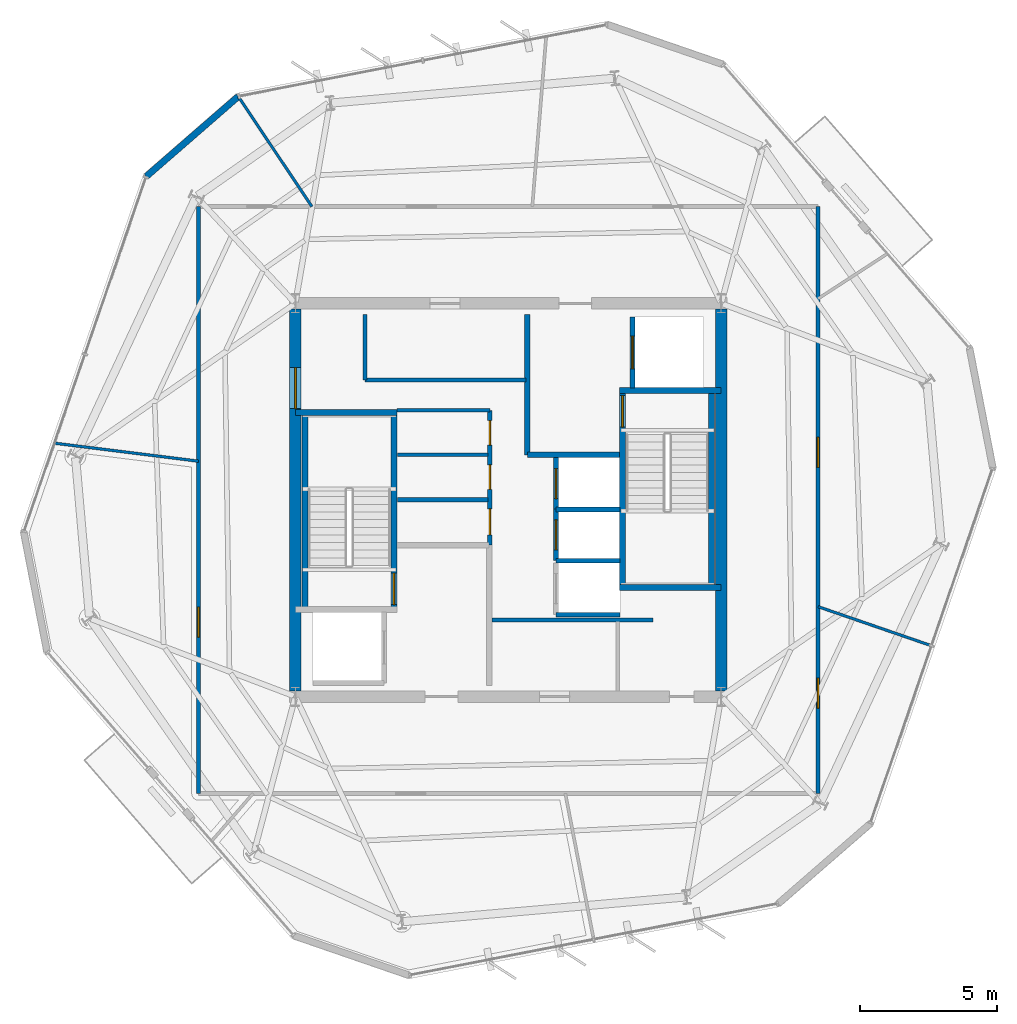
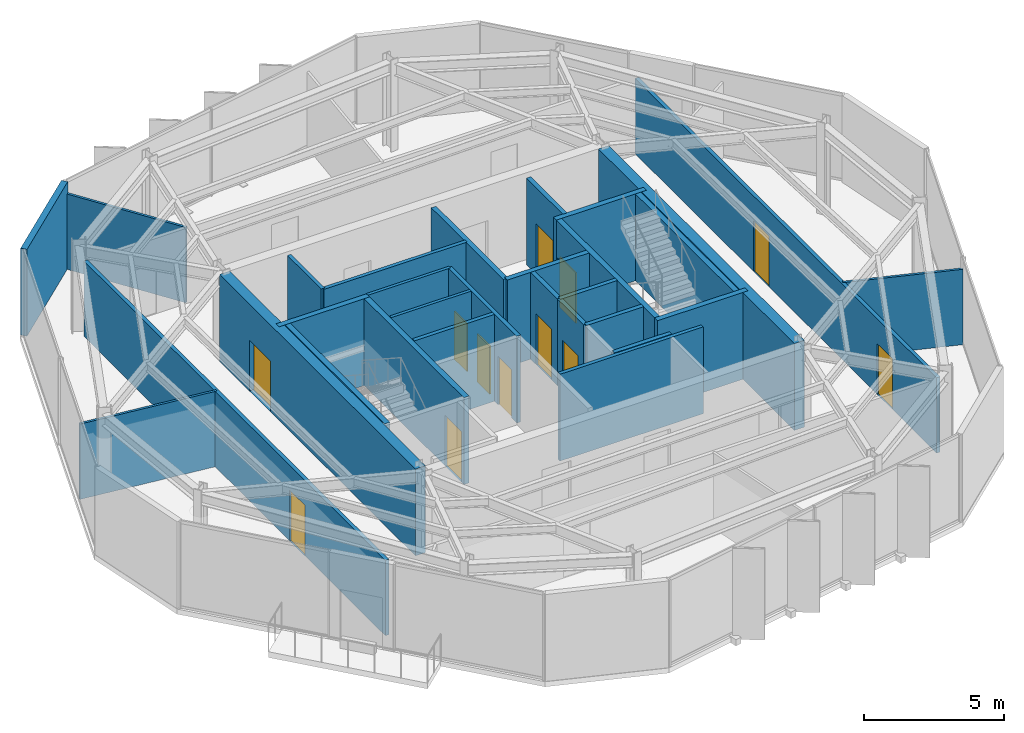
# One storey, part 7 of 10: 30 walls, 12 doors, 12 openings.
"""IFC4 building model written with IfcOpenShell, lengths in metres."""

from ifc_helpers import new_model, si_unit, direction, frame, frame_2d, origin, place, context, subcontext, project, spatial, rectangle, extrude, material, layer, layer_set, type_object, element, fill, save


model = new_model("IFC4")

# Units and contexts
model_context = context("Model", 3, precision=1e-05, world=origin(), true_north=direction((0.0, 1.0)))
body_context = subcontext(model_context, "Body", "Model", "MODEL_VIEW")
ifc_project = project(units=[si_unit("LENGTHUNIT", "METRE"), si_unit("AREAUNIT", "SQUARE_METRE"), si_unit("VOLUMEUNIT", "CUBIC_METRE"), si_unit("PLANEANGLEUNIT", "RADIAN"), si_unit("MASSUNIT", "GRAM", prefix="KILO")], contexts=[model_context])

# Site, building, storey
site_placement = place(None, origin())
site = spatial("IfcSite", under=ifc_project, at=site_placement, CompositionType="ELEMENT")
building_placement = place(site_placement, origin())
building = spatial("IfcBuilding", under=site, at=building_placement, Name="Kranzbogen Civic Tower", CompositionType="ELEMENT")
storey_placement = place(building_placement, frame((0.0, 0.0, 310.199951171875)))
storey = spatial("IfcBuildingStorey", under=building, at=storey_placement, Name="L75", CompositionType="ELEMENT", Elevation=310.199951171875)

# Walls
ifc_material_1 = material(Name="Double-Stud Acoustic Gypsum Partition")
ifc_layer_1 = layer(ifc_material_1, 0.14990234375, Name="Double-Stud Acoustic Gypsum Partition")
ifc_layer_set_1 = layer_set([ifc_layer_1], Name="Double-Stud Acoustic Gypsum Partition")
wall_type_1 = type_object("IfcWallType", Name="Acoustic Corridor and Clinical Partition 150 mm", PredefinedType="PARTITIONING", material=ifc_layer_set_1)
wall_1_placement = place(storey_placement, frame((24.39990234375, 20.610107421875, 0.0), z_axis=(0.0, 0.0, 1.0), x_axis=(1.0, 0.0, 0.0)))
element("IfcWall", 1, at=wall_1_placement, inside=storey, type_object=wall_type_1, Name="L75 records zone North wall", PredefinedType="PARTITIONING", context=body_context, shape_type="SweptSolid", body=[
    extrude(rectangle(XDim=5.900146484375, YDim=0.14990234375, at=frame_2d((2.9501953125, 0.0))), origin(), (0.0, 0.0, 1.0), 3.780029296875),
])
wall_2_placement = place(storey_placement, frame((19.75, 29.389892578125, 0.0), z_axis=(0.0, 0.0, 1.0), x_axis=(1.0, 0.0, 0.0)))
element("IfcWall", 2, at=wall_2_placement, inside=storey, type_object=wall_type_1, Name="L75 digital comms South wall", PredefinedType="PARTITIONING", context=body_context, shape_type="SweptSolid", body=[
    extrude(rectangle(XDim=5.89990234375, YDim=0.14990234375, at=frame_2d((2.949951171875, 0.0))), origin(), (0.0, 0.0, 1.0), 3.780029296875),
])
wall_3_placement = place(storey_placement, frame((19.75, 29.389892578125, 0.0), z_axis=(0.0, 0.0, 1.0), x_axis=(0.0, 1.0, 0.0)))
element("IfcWall", 3, at=wall_3_placement, inside=storey, type_object=wall_type_1, Name="L75 digital comms West wall", PredefinedType="PARTITIONING", context=body_context, shape_type="SweptSolid", body=[
    extrude(rectangle(XDim=2.41015625, YDim=0.14990234375, at=frame_2d((1.205078125, 0.0))), origin(), (0.0, 0.0, 1.0), 3.780029296875),
])

# Wall, openings, doors
wall_4_placement = place(storey_placement, frame((36.35009765625, 35.75, 0.0), z_axis=(0.0, 0.0, 1.0), x_axis=(0.0, -1.0, 0.0)))
wall_4 = element("IfcWall", 4, at=wall_4_placement, inside=storey, type_object=wall_type_1, Name="L75 corridor partition 02", PredefinedType="PARTITIONING", context=body_context, shape_type="SweptSolid", body=[
    extrude(rectangle(XDim=21.5, YDim=0.14990234375, at=frame_2d((10.75, 0.0))), origin(), (0.0, 0.0, 1.0), 3.280029296875),
])
opening_1_placement = place(wall_4_placement, frame((17.27099609375, 0.0, 0.0)))
opening_1 = element("IfcOpeningElement", 5, at=opening_1_placement, cuts=wall_4, Name="Opening D-COR60", PredefinedType="OPENING", context=body_context, shape_type="SweptSolid", body=[
    extrude(rectangle(XDim=1.10009765625, YDim=2.199951171875, at=frame_2d((0.550048828125, 1.10009765625))), frame((0.0, 0.0849609375, 0.0), z_axis=(0.0, -1.0, 0.0), x_axis=(1.0, 0.0, 0.0)), (0.0, 0.0, 1.0), 0.169921875),
])
opening_2_placement = place(wall_4_placement, frame((8.451904296875, 0.0, 0.0)))
opening_2 = element("IfcOpeningElement", 6, at=opening_2_placement, cuts=wall_4, Name="Opening D-COR60", PredefinedType="OPENING", context=body_context, shape_type="SweptSolid", body=[
    extrude(rectangle(XDim=1.10009765625, YDim=2.199951171875, at=frame_2d((0.550048828125, 1.10009765625))), frame((0.0, 0.0849609375, 0.0), z_axis=(0.0, -1.0, 0.0), x_axis=(1.0, 0.0, 0.0)), (0.0, 0.0, 1.0), 0.169921875),
])
ifc_material_2 = material(Name="Oak Timber and Fire Core", Category="wood")
door_type_1 = type_object("IfcDoorType", Name="Corridor Acoustic Fire Door 1100x2200", OperationType="NOTDEFINED", PredefinedType="DOOR", material=ifc_material_2)
door_1_placement = place(opening_1_placement, origin())
door_1 = element("IfcDoor", 7, at=door_1_placement, inside=storey, type_object=door_type_1, Name="L75 Protocol Entrance Reception door", OperationType="SINGLE_SWING_RIGHT", OverallHeight=2.199951171875, OverallWidth=1.10009765625, PredefinedType="DOOR", context=body_context, shape_type="SweptSolid", body=[
    extrude(rectangle(XDim=1.10009765625, YDim=2.199951171875, at=frame_2d((0.550048828125, 1.10009765625))), frame((0.0, 0.02490234375, 0.0), z_axis=(0.0, -1.0, 0.0), x_axis=(1.0, 0.0, 0.0)), (0.0, 0.0, 1.0), 0.050048828125),
])
fill(opening_1, door_1)
door_2_placement = place(opening_2_placement, origin())
door_2 = element("IfcDoor", 8, at=door_2_placement, inside=storey, type_object=door_type_1, Name="L75 Citizen Services Kiosk door", OperationType="SINGLE_SWING_LEFT", OverallHeight=2.199951171875, OverallWidth=1.10009765625, PredefinedType="DOOR", context=body_context, shape_type="SweptSolid", body=[
    extrude(rectangle(XDim=1.10009765625, YDim=2.199951171875, at=frame_2d((0.550048828125, 1.10009765625))), frame((0.0, 0.02490234375, 0.0), z_axis=(0.0, -1.0, 0.0), x_axis=(1.0, 0.0, 0.0)), (0.0, 0.0, 1.0), 0.050048828125),
])
fill(opening_2, door_2)

# Wall, opening, door
wall_5_placement = place(storey_placement, frame((13.64990234375, 14.25, 0.0), z_axis=(0.0, 0.0, 1.0), x_axis=(0.0, 1.0, 0.0)))
wall_5 = element("IfcWall", 9, at=wall_5_placement, inside=storey, type_object=wall_type_1, Name="L75 corridor partition 04", PredefinedType="PARTITIONING", context=body_context, shape_type="SweptSolid", body=[
    extrude(rectangle(XDim=21.5, YDim=0.14990234375, at=frame_2d((10.75, 0.0))), origin(), (0.0, 0.0, 1.0), 3.280029296875),
])
opening_3_placement = place(wall_5_placement, frame((5.722900390625, 0.0, 0.0)))
opening_3 = element("IfcOpeningElement", 10, at=opening_3_placement, cuts=wall_5, Name="Opening D-COR60", PredefinedType="OPENING", context=body_context, shape_type="SweptSolid", body=[
    extrude(rectangle(XDim=1.10009765625, YDim=2.199951171875, at=frame_2d((0.550048828125, 1.10009765625))), frame((0.0, 0.0849609375, 0.0), z_axis=(0.0, -1.0, 0.0), x_axis=(1.0, 0.0, 0.0)), (0.0, 0.0, 1.0), 0.169921875),
])
door_3_placement = place(opening_3_placement, origin())
door_3 = element("IfcDoor", 11, at=door_3_placement, inside=storey, type_object=door_type_1, Name="L75 Public Delegation Reception door", OperationType="SINGLE_SWING_RIGHT", OverallHeight=2.199951171875, OverallWidth=1.10009765625, PredefinedType="DOOR", context=body_context, shape_type="SweptSolid", body=[
    extrude(rectangle(XDim=1.10009765625, YDim=2.199951171875, at=frame_2d((0.550048828125, 1.10009765625))), frame((0.0, 0.02490234375, 0.0), z_axis=(0.0, -1.0, 0.0), x_axis=(1.0, 0.0, 0.0)), (0.0, 0.0, 1.0), 0.050048828125),
])
fill(opening_3, door_3)

# Walls
ifc_material_3 = material(Name="Insulated Metal-Stud Gypsum Partition")
ifc_layer_2 = layer(ifc_material_3, 0.125, Name="Insulated Metal-Stud Gypsum Partition")
ifc_layer_set_2 = layer_set([ifc_layer_2], Name="Insulated Metal-Stud Gypsum Partition")
wall_type_2 = type_object("IfcWallType", Name="Acoustic Inter-Room Partition 125 mm", PredefinedType="PARTITIONING", material=ifc_layer_set_2)
wall_6_placement = place(storey_placement, frame((20.919921875, 28.280029296875, 0.0), z_axis=(0.0, 0.0, 1.0), x_axis=(1.0, 0.0, 0.0)))
element("IfcWall", 12, at=wall_6_placement, inside=storey, type_object=wall_type_2, Name="L75 core auxiliary North wall", PredefinedType="PARTITIONING", context=body_context, shape_type="SweptSolid", body=[
    extrude(rectangle(XDim=3.405029296875, YDim=0.125, at=frame_2d((1.70263671875, 0.0))), origin(), (0.0, 0.0, 1.0), 3.780029296875),
])
wall_7_placement = place(storey_placement, frame((20.949951171875, 26.659912109375, 0.0), z_axis=(0.0, 0.0, 1.0), x_axis=(1.0, 0.0, 0.0)))
element("IfcWall", 13, at=wall_7_placement, inside=storey, type_object=wall_type_2, Name="L75 core auxiliary partition 3", PredefinedType="PARTITIONING", context=body_context, shape_type="SweptSolid", body=[
    extrude(rectangle(XDim=3.300048828125, YDim=0.125, at=frame_2d((1.64990234375, 0.0))), origin(), (0.0, 0.0, 1.0), 3.780029296875),
])

# Wall, opening, door
ifc_material_4 = material(Name="Concrete C45/55", Category="concrete")
ifc_layer_3 = layer(ifc_material_4, 0.419921875, Name="Concrete C45/55")
ifc_layer_set_3 = layer_set([ifc_layer_3], Name="Concrete C45/55")
wall_type_3 = type_object("IfcWallType", Name="Central Core Shear Wall 420 mm", PredefinedType="SHEAR", material=ifc_layer_set_3)
wall_8_placement = place(storey_placement, frame((17.199951171875, 31.989990234375, 0.0), z_axis=(0.0, 0.0, 1.0), x_axis=(0.0, -1.0, 0.0)))
wall_8 = element("IfcWall", 14, at=wall_8_placement, inside=storey, type_object=wall_type_3, Name="L75 central core West shear wall", PredefinedType="SHEAR", context=body_context, shape_type="SweptSolid", body=[
    extrude(rectangle(XDim=13.97998046875, YDim=0.419921875, at=frame_2d((6.989990234375, 0.0))), origin(), (0.0, 0.0, 1.0), 3.780029296875),
])
opening_4_placement = place(wall_8_placement, frame((2.139892578125, 0.0, 0.0)))
opening_4 = element("IfcOpeningElement", 15, at=opening_4_placement, cuts=wall_8, Name="Opening D-DBL15", PredefinedType="OPENING", context=body_context, shape_type="SweptSolid", body=[
    extrude(rectangle(XDim=1.5, YDim=2.199951171875, at=frame_2d((0.75, 1.10009765625))), frame((0.0, 0.219970703125, 0.0), z_axis=(0.0, -1.0, 0.0), x_axis=(1.0, 0.0, 0.0)), (0.0, 0.0, 1.0), 0.43994140625),
])
ifc_material_5 = material(Name="Anodised Bronze and Glass", Category="glass")
door_type_2 = type_object("IfcDoorType", Name="Civic Lobby Double Door 1500x2200", OperationType="DOUBLE_DOOR_SINGLE_SWING", PredefinedType="DOOR", material=ifc_material_5)
door_4_placement = place(opening_4_placement, origin())
door_4 = element("IfcDoor", 16, at=door_4_placement, inside=storey, type_object=door_type_2, Name="L75 Central Lift Lobby West concourse door", OperationType="DOUBLE_DOOR_SINGLE_SWING", OverallHeight=2.199951171875, OverallWidth=1.5, PredefinedType="DOOR", context=body_context, shape_type="SweptSolid", body=[
    extrude(rectangle(XDim=1.5, YDim=2.199951171875, at=frame_2d((0.75, 1.10009765625))), frame((0.0, 0.02490234375, 0.0), z_axis=(0.0, -1.0, 0.0), x_axis=(1.0, 0.0, 0.0)), (0.0, 0.0, 1.0), 0.050048828125),
])
fill(opening_4, door_4)

# Wall
wall_9_placement = place(storey_placement, frame((32.800048828125, 18.010009765625, 0.0), z_axis=(0.0, 0.0, 1.0), x_axis=(0.0, 1.0, 0.0)))
element("IfcWall", 17, at=wall_9_placement, inside=storey, type_object=wall_type_3, Name="L75 central core East shear wall", PredefinedType="SHEAR", context=body_context, shape_type="SweptSolid", body=[
    extrude(rectangle(XDim=13.97998046875, YDim=0.419921875, at=frame_2d((6.989990234375, 0.0))), origin(), (0.0, 0.0, 1.0), 3.780029296875),
])

# Wall, opening, door
ifc_layer_4 = layer(ifc_material_4, 0.219970703125, Name="Concrete C45/55")
ifc_layer_set_4 = layer_set([ifc_layer_4], Name="Concrete C45/55")
wall_type_4 = type_object("IfcWallType", Name="Core Internal Stair Structural Wall 220 mm", PredefinedType="SOLIDWALL", material=ifc_layer_set_4)
wall_10_placement = place(storey_placement, frame((20.81005859375, 20.989990234375, 0.0), z_axis=(0.0, 0.0, 1.0), x_axis=(0.0, 1.0, 0.0)))
wall_10 = element("IfcWall", 18, at=wall_10_placement, inside=storey, type_object=wall_type_4, Name="L75 ST-T1 East structural stair wall", PredefinedType="SOLIDWALL", context=body_context, shape_type="SweptSolid", body=[
    extrude(rectangle(XDim=7.219970703125, YDim=0.219970703125, at=frame_2d((3.60986328125, 0.0))), origin(), (0.0, 0.0, 1.0), 3.780029296875),
])
opening_5_placement = place(wall_10_placement, frame((0.179931640625, 0.0, 0.0)))
opening_5 = element("IfcOpeningElement", 19, at=opening_5_placement, cuts=wall_10, Name="Opening D-ST90", PredefinedType="OPENING", context=body_context, shape_type="SweptSolid", body=[
    extrude(rectangle(XDim=1.14990234375, YDim=2.199951171875, at=frame_2d((0.574951171875, 1.10009765625))), frame((0.0, 0.1201171875, 0.0), z_axis=(0.0, -1.0, 0.0), x_axis=(1.0, 0.0, 0.0)), (0.0, 0.0, 1.0), 0.239990234375),
])
ifc_material_6 = material(Name="Steel S355", Category="steel")
door_type_3 = type_object("IfcDoorType", Name="Pressurized Stair and Lobby Fire Door 1150x2200", OperationType="NOTDEFINED", PredefinedType="DOOR", material=ifc_material_6)
door_5_placement = place(opening_5_placement, origin())
door_5 = element("IfcDoor", 20, at=door_5_placement, inside=storey, type_object=door_type_3, Name="L75 Stair ST-T1 fire door", OperationType="SINGLE_SWING_RIGHT", OverallHeight=2.199951171875, OverallWidth=1.14990234375, PredefinedType="DOOR", context=body_context, shape_type="SweptSolid", body=[
    extrude(rectangle(XDim=1.14990234375, YDim=2.199951171875, at=frame_2d((0.574951171875, 1.10009765625))), frame((0.0, 0.02490234375, 0.0), z_axis=(0.0, -1.0, 0.0), x_axis=(1.0, 0.0, 0.0)), (0.0, 0.0, 1.0), 0.050048828125),
])
fill(opening_5, door_5)

# Walls
wall_11_placement = place(storey_placement, frame((17.199951171875, 28.2099609375, 0.0), z_axis=(0.0, 0.0, 1.0), x_axis=(1.0, 0.0, 0.0)))
element("IfcWall", 21, at=wall_11_placement, inside=storey, type_object=wall_type_4, Name="L75 ST-T1 North structural stair wall", PredefinedType="SOLIDWALL", context=body_context, shape_type="SweptSolid", body=[
    extrude(rectangle(XDim=3.719970703125, YDim=0.219970703125, at=frame_2d((1.85986328125, 0.0))), origin(), (0.0, 0.0, 1.0), 3.780029296875),
])
wall_12_placement = place(storey_placement, frame((17.554931640625, 28.2099609375, 0.0), z_axis=(0.0, 0.0, 1.0), x_axis=(0.0, -1.0, 0.0)))
element("IfcWall", 22, at=wall_12_placement, inside=storey, type_object=wall_type_4, Name="L75 ST-T1 West structural stair wall", PredefinedType="SOLIDWALL", context=body_context, shape_type="SweptSolid", body=[
    extrude(rectangle(XDim=7.219970703125, YDim=0.219970703125, at=frame_2d((3.60986328125, 0.0))), origin(), (0.0, 0.0, 1.0), 3.780029296875),
])

# Wall, opening, door
wall_13_placement = place(storey_placement, frame((29.18994140625, 21.7900390625, 0.0), z_axis=(0.0, 0.0, 1.0), x_axis=(0.0, 1.0, 0.0)))
wall_13 = element("IfcWall", 23, at=wall_13_placement, inside=storey, type_object=wall_type_4, Name="L75 ST-T2 West structural stair wall", PredefinedType="SOLIDWALL", context=body_context, shape_type="SweptSolid", body=[
    extrude(rectangle(XDim=7.219970703125, YDim=0.219970703125, at=frame_2d((3.60986328125, 0.0))), origin(), (0.0, 0.0, 1.0), 3.780029296875),
])
opening_6_placement = place(wall_13_placement, frame((5.8798828125, 0.0, 0.0)))
opening_6 = element("IfcOpeningElement", 24, at=opening_6_placement, cuts=wall_13, Name="Opening D-ST90", PredefinedType="OPENING", context=body_context, shape_type="SweptSolid", body=[
    extrude(rectangle(XDim=1.14990234375, YDim=2.199951171875, at=frame_2d((0.574951171875, 1.10009765625))), frame((0.0, 0.1201171875, 0.0), z_axis=(0.0, -1.0, 0.0), x_axis=(1.0, 0.0, 0.0)), (0.0, 0.0, 1.0), 0.239990234375),
])
door_6_placement = place(opening_6_placement, origin())
door_6 = element("IfcDoor", 25, at=door_6_placement, inside=storey, type_object=door_type_3, Name="L75 Stair ST-T2 fire door", OperationType="SINGLE_SWING_LEFT", OverallHeight=2.199951171875, OverallWidth=1.14990234375, PredefinedType="DOOR", context=body_context, shape_type="SweptSolid", body=[
    extrude(rectangle(XDim=1.14990234375, YDim=2.199951171875, at=frame_2d((0.574951171875, 1.10009765625))), frame((0.0, 0.02490234375, 0.0), z_axis=(0.0, -1.0, 0.0), x_axis=(1.0, 0.0, 0.0)), (0.0, 0.0, 1.0), 0.050048828125),
])
fill(opening_6, door_6)

# Walls
for number, where, z_axis, x_axis, name in (
    (26, (29.080078125, 21.7900390625, 0.0), (0.0, 0.0, 1.0), (1.0, 0.0, 0.0), "L75 ST-T2 South structural stair wall"),
    (27, (29.080078125, 29.010009765625, 0.0), (0.0, 0.0, 1.0), (1.0, 0.0, 0.0), "L75 ST-T2 North structural stair wall"),
):
    element("IfcWall", number, at=place(storey_placement, frame(where, z_axis=z_axis, x_axis=x_axis)), inside=storey, type_object=wall_type_4, Name=name, PredefinedType="SOLIDWALL", context=body_context, shape_type="SweptSolid", body=[
        extrude(rectangle(XDim=3.719970703125, YDim=0.219970703125, at=frame_2d((1.85986328125, 0.0))), origin(), (0.0, 0.0, 1.0), 3.780029296875),
    ])
wall_14_placement = place(storey_placement, frame((32.445068359375, 29.010009765625, 0.0), z_axis=(0.0, 0.0, 1.0), x_axis=(0.0, -1.0, 0.0)))
element("IfcWall", 28, at=wall_14_placement, inside=storey, type_object=wall_type_4, Name="L75 ST-T2 East structural stair wall", PredefinedType="SOLIDWALL", context=body_context, shape_type="SweptSolid", body=[
    extrude(rectangle(XDim=7.219970703125, YDim=0.219970703125, at=frame_2d((3.60986328125, 0.0))), origin(), (0.0, 0.0, 1.0), 3.780029296875),
])
ifc_material_7 = material(Name="Demountable Aluminium and Gypsum Partition", Category="aluminium")
ifc_layer_5 = layer(ifc_material_7, 0.10009765625, Name="Demountable Aluminium and Gypsum Partition")
ifc_layer_set_5 = layer_set([ifc_layer_5], Name="Demountable Aluminium and Gypsum Partition")
wall_type_5 = type_object("IfcWallType", Name="Demountable Office Partition 100 mm", PredefinedType="MOVABLE", material=ifc_layer_set_5)
wall_15_placement = place(storey_placement, frame((17.806884765625, 35.75, 0.0), z_axis=(0.0, 0.0, 1.0), x_axis=(-0.556214847817, 0.831038532842, 0.0)))
element("IfcWall", 29, at=wall_15_placement, inside=storey, type_object=wall_type_5, Name="L75 radial room partition 01", PredefinedType="MOVABLE", context=body_context, shape_type="SweptSolid", body=[
    extrude(rectangle(XDim=4.832763671875, YDim=0.10009765625, at=frame_2d((2.41650390625, 0.0))), origin(), (0.0, 0.0, 1.0), 3.280029296875),
])
wall_16_placement = place(storey_placement, frame((13.64990234375, 26.4208984375, 0.0), z_axis=(0.0, 0.0, 1.0), x_axis=(-0.992232445965, 0.12439764135, 0.0)))
element("IfcWall", 30, at=wall_16_placement, inside=storey, type_object=wall_type_5, Name="L75 radial room partition 02", PredefinedType="MOVABLE", context=body_context, shape_type="SweptSolid", body=[
    extrude(rectangle(XDim=5.299072265625, YDim=0.10009765625, at=frame_2d((2.6494140625, 0.0))), origin(), (0.0, 0.0, 1.0), 3.280029296875),
])
wall_17_placement = place(storey_placement, frame((36.35009765625, 21.092041015625, 0.0), z_axis=(0.0, 0.0, 1.0), x_axis=(0.94547788529, -0.325686303714, 0.0)))
element("IfcWall", 31, at=wall_17_placement, inside=storey, type_object=wall_type_5, Name="L75 radial room partition 05", PredefinedType="MOVABLE", context=body_context, shape_type="SweptSolid", body=[
    extrude(rectangle(XDim=4.37548828125, YDim=0.10009765625, at=frame_2d((2.187744140625, 0.0))), origin(), (0.0, 0.0, 1.0), 3.280029296875),
])
ifc_material_8 = material(Name="Gypsum Fireboard and Concrete Block", Category="concrete")
ifc_layer_6 = layer(ifc_material_8, 0.199951171875, Name="Gypsum Fireboard and Concrete Block")
ifc_layer_set_6 = layer_set([ifc_layer_6], Name="Gypsum Fireboard and Concrete Block")
wall_type_6 = type_object("IfcWallType", Name="Fire-Rated Exit Passageway and Stair Wall 200 mm", PredefinedType="PARTITIONING", material=ifc_layer_set_6)
wall_18_placement = place(storey_placement, frame((25.699951171875, 26.64990234375, 0.0), z_axis=(0.0, 0.0, 1.0), x_axis=(0.0, 1.0, 0.0)))
element("IfcWall", 32, at=wall_18_placement, inside=storey, type_object=wall_type_6, Name="L75 East firefighting lobby West wall", PredefinedType="PARTITIONING", context=body_context, shape_type="SweptSolid", body=[
    extrude(rectangle(XDim=5.150146484375, YDim=0.199951171875, at=frame_2d((2.5751953125, 0.0))), origin(), (0.0, 0.0, 1.0), 3.780029296875),
])
wall_19_placement = place(storey_placement, frame((25.699951171875, 26.64990234375, 0.0), z_axis=(0.0, 0.0, 1.0), x_axis=(1.0, 0.0, 0.0)))
element("IfcWall", 33, at=wall_19_placement, inside=storey, type_object=wall_type_6, Name="L75 East firefighting lobby South wall", PredefinedType="PARTITIONING", context=body_context, shape_type="SweptSolid", body=[
    extrude(rectangle(XDim=3.380126953125, YDim=0.199951171875, at=frame_2d((1.68994140625, 0.0))), origin(), (0.0, 0.0, 1.0), 3.780029296875),
])
ifc_material_9 = material(Name="Gypsum Fireboard Shaftliner")
ifc_layer_7 = layer(ifc_material_9, 0.175048828125, Name="Gypsum Fireboard Shaftliner")
ifc_layer_set_7 = layer_set([ifc_layer_7], Name="Gypsum Fireboard Shaftliner")
wall_type_7 = type_object("IfcWallType", Name="Fire-Rated Lift and Service Shaft Wall 175 mm", PredefinedType="PARTITIONING", material=ifc_layer_set_7)
wall_20_placement = place(storey_placement, frame((26.75, 20.800048828125, 0.0), z_axis=(0.0, 0.0, 1.0), x_axis=(1.0, 0.0, 0.0)))
element("IfcWall", 34, at=wall_20_placement, inside=storey, type_object=wall_type_7, Name="L75 lift HP-01 side wall", PredefinedType="PARTITIONING", context=body_context, shape_type="SweptSolid", body=[
    extrude(rectangle(XDim=2.35009765625, YDim=0.175048828125, at=frame_2d((1.175048828125, 0.0))), origin(), (0.0, 0.0, 1.0), 3.780029296875),
])

# Wall, opening, door
wall_21_placement = place(storey_placement, frame((26.75, 22.77490234375, 0.0), z_axis=(0.0, 0.0, 1.0), x_axis=(0.0, 1.0, 0.0)))
wall_21 = element("IfcWall", 35, at=wall_21_placement, inside=storey, type_object=wall_type_7, Name="L75 lift HP-02 landing wall", PredefinedType="PARTITIONING", context=body_context, shape_type="SweptSolid", body=[
    extrude(rectangle(XDim=1.900146484375, YDim=0.175048828125, at=frame_2d((0.9501953125, 0.0))), origin(), (0.0, 0.0, 1.0), 3.780029296875),
])
opening_7_placement = place(wall_21_placement, frame((0.39990234375, 0.0, 0.0)))
opening_7 = element("IfcOpeningElement", 36, at=opening_7_placement, cuts=wall_21, Name="Opening LD-HP-02", PredefinedType="OPENING", context=body_context, shape_type="SweptSolid", body=[
    extrude(rectangle(XDim=1.10009765625, YDim=2.199951171875, at=frame_2d((0.550048828125, 1.10009765625))), frame((0.0, 0.09765625, 0.0), z_axis=(0.0, -1.0, 0.0), x_axis=(1.0, 0.0, 0.0)), (0.0, 0.0, 1.0), 0.195068359375),
])
ifc_material_10 = material(Name="Pale Anodised Aluminium", Category="aluminium")
door_type_4 = type_object("IfcDoorType", Name="Passenger Lift Sliding Landing Door 1100x2200", OperationType="DOUBLE_DOOR_SLIDING", PredefinedType="DOOR", material=ifc_material_10)
door_7_placement = place(opening_7_placement, origin())
door_7 = element("IfcDoor", 37, at=door_7_placement, inside=storey, type_object=door_type_4, Name="L75 lift HP-02 sliding landing door", OperationType="DOUBLE_DOOR_SLIDING", OverallHeight=2.199951171875, OverallWidth=1.10009765625, PredefinedType="DOOR", context=body_context, shape_type="SweptSolid", body=[
    extrude(rectangle(XDim=1.10009765625, YDim=2.199951171875, at=frame_2d((0.550048828125, 1.10009765625))), frame((0.0, 0.02490234375, 0.0), z_axis=(0.0, -1.0, 0.0), x_axis=(1.0, 0.0, 0.0)), (0.0, 0.0, 1.0), 0.050048828125),
])
fill(opening_7, door_7)

# Wall
wall_22_placement = place(storey_placement, frame((26.75, 22.77490234375, 0.0), z_axis=(0.0, 0.0, 1.0), x_axis=(1.0, 0.0, 0.0)))
element("IfcWall", 38, at=wall_22_placement, inside=storey, type_object=wall_type_7, Name="L75 lift HP-02 side wall", PredefinedType="PARTITIONING", context=body_context, shape_type="SweptSolid", body=[
    extrude(rectangle(XDim=2.35009765625, YDim=0.175048828125, at=frame_2d((1.175048828125, 0.0))), origin(), (0.0, 0.0, 1.0), 3.780029296875),
])

# Wall, opening, door
wall_23_placement = place(storey_placement, frame((26.75, 24.64990234375, 0.0), z_axis=(0.0, 0.0, 1.0), x_axis=(0.0, 1.0, 0.0)))
wall_23 = element("IfcWall", 39, at=wall_23_placement, inside=storey, type_object=wall_type_7, Name="L75 lift HP-03 landing wall", PredefinedType="PARTITIONING", context=body_context, shape_type="SweptSolid", body=[
    extrude(rectangle(XDim=1.900146484375, YDim=0.175048828125, at=frame_2d((0.9501953125, 0.0))), origin(), (0.0, 0.0, 1.0), 3.780029296875),
])
opening_8_placement = place(wall_23_placement, frame((0.39990234375, 0.0, 0.0)))
opening_8 = element("IfcOpeningElement", 40, at=opening_8_placement, cuts=wall_23, Name="Opening LD-HP-03", PredefinedType="OPENING", context=body_context, shape_type="SweptSolid", body=[
    extrude(rectangle(XDim=1.10009765625, YDim=2.199951171875, at=frame_2d((0.550048828125, 1.10009765625))), frame((0.0, 0.09765625, 0.0), z_axis=(0.0, -1.0, 0.0), x_axis=(1.0, 0.0, 0.0)), (0.0, 0.0, 1.0), 0.195068359375),
])
door_8_placement = place(opening_8_placement, origin())
door_8 = element("IfcDoor", 41, at=door_8_placement, inside=storey, type_object=door_type_4, Name="L75 lift HP-03 sliding landing door", OperationType="DOUBLE_DOOR_SLIDING", OverallHeight=2.199951171875, OverallWidth=1.10009765625, PredefinedType="DOOR", context=body_context, shape_type="SweptSolid", body=[
    extrude(rectangle(XDim=1.10009765625, YDim=2.199951171875, at=frame_2d((0.550048828125, 1.10009765625))), frame((0.0, 0.02490234375, 0.0), z_axis=(0.0, -1.0, 0.0), x_axis=(1.0, 0.0, 0.0)), (0.0, 0.0, 1.0), 0.050048828125),
])
fill(opening_8, door_8)

# Wall
wall_24_placement = place(storey_placement, frame((26.75, 24.64990234375, 0.0), z_axis=(0.0, 0.0, 1.0), x_axis=(1.0, 0.0, 0.0)))
element("IfcWall", 42, at=wall_24_placement, inside=storey, type_object=wall_type_7, Name="L75 lift HP-03 side wall", PredefinedType="PARTITIONING", context=body_context, shape_type="SweptSolid", body=[
    extrude(rectangle(XDim=2.35009765625, YDim=0.175048828125, at=frame_2d((1.175048828125, 0.0))), origin(), (0.0, 0.0, 1.0), 3.780029296875),
])

# Wall, opening, door
wall_25_placement = place(storey_placement, frame((29.550048828125, 29.10009765625, 0.0), z_axis=(0.0, 0.0, 1.0), x_axis=(0.0, 1.0, 0.0)))
wall_25 = element("IfcWall", 43, at=wall_25_placement, inside=storey, type_object=wall_type_7, Name="L75 lift FF-02 landing wall", PredefinedType="PARTITIONING", context=body_context, shape_type="SweptSolid", body=[
    extrude(rectangle(XDim=2.599853515625, YDim=0.175048828125, at=frame_2d((1.2998046875, 0.0))), origin(), (0.0, 0.0, 1.0), 3.780029296875),
])
opening_9_placement = place(wall_25_placement, frame((0.699951171875, 0.0, 0.0)))
opening_9 = element("IfcOpeningElement", 44, at=opening_9_placement, cuts=wall_25, Name="Opening LD-FF-02", PredefinedType="OPENING", context=body_context, shape_type="SweptSolid", body=[
    extrude(rectangle(XDim=1.199951171875, YDim=2.199951171875, at=frame_2d((0.60009765625, 1.10009765625))), frame((0.0, 0.09765625, 0.0), z_axis=(0.0, -1.0, 0.0), x_axis=(1.0, 0.0, 0.0)), (0.0, 0.0, 1.0), 0.195068359375),
])
door_type_5 = type_object("IfcDoorType", Name="Firefighting and Stretcher Lift Sliding Landing Door 1200x2200", OperationType="DOUBLE_DOOR_SLIDING", PredefinedType="DOOR", material=ifc_material_10)
door_9_placement = place(opening_9_placement, origin())
door_9 = element("IfcDoor", 45, at=door_9_placement, inside=storey, type_object=door_type_5, Name="L75 lift FF-02 sliding landing door", OperationType="DOUBLE_DOOR_SLIDING", OverallHeight=2.199951171875, OverallWidth=1.199951171875, PredefinedType="DOOR", context=body_context, shape_type="SweptSolid", body=[
    extrude(rectangle(XDim=1.199951171875, YDim=2.199951171875, at=frame_2d((0.60009765625, 1.10009765625))), frame((0.0, 0.02490234375, 0.0), z_axis=(0.0, -1.0, 0.0), x_axis=(1.0, 0.0, 0.0)), (0.0, 0.0, 1.0), 0.050048828125),
])
fill(opening_9, door_9)

# Wall
ifc_layer_8 = layer(ifc_material_10, 0.239990234375, Name="Pale Anodised Aluminium")
ifc_layer_set_8 = layer_set([ifc_layer_8], Name="Pale Anodised Aluminium")
wall_type_8 = type_object("IfcWallType", Name="Insulated Aluminium Facade Portal Wall 240 mm", PredefinedType="STANDARD", material=ifc_layer_set_8)
wall_26_placement = place(storey_placement, frame((15.110107421875, 39.781005859375, 0.0), z_axis=(0.0, 0.0, 1.0), x_axis=(-0.754672605899, -0.656101560663, 0.0)))
element("IfcWall", 46, at=wall_26_placement, inside=storey, type_object=wall_type_8, Name="L75 chamfered corner facade spandrel 1", PredefinedType="STANDARD", context=body_context, shape_type="SweptSolid", body=[
    extrude(rectangle(XDim=4.465576171875, YDim=0.239990234375, at=frame_2d((2.23291015625, 0.0))), origin(), (0.0, 0.0, 1.0), 3.780029296875),
])

# Wall, openings, doors
ifc_material_11 = material(Name="Moisture-Resistant Gypsum Assembly")
ifc_layer_9 = layer(ifc_material_11, 0.159912109375, Name="Moisture-Resistant Gypsum Assembly")
ifc_layer_set_9 = layer_set([ifc_layer_9], Name="Moisture-Resistant Gypsum Assembly")
wall_type_9 = type_object("IfcWallType", Name="Sanitary and Plumbing Wet Wall 160 mm", PredefinedType="PLUMBINGWALL", material=ifc_layer_set_9)
wall_27_placement = place(storey_placement, frame((24.324951171875, 23.35009765625, 0.0), z_axis=(0.0, 0.0, 1.0), x_axis=(0.0, 1.0, 0.0)))
wall_27 = element("IfcWall", 47, at=wall_27_placement, inside=storey, type_object=wall_type_9, Name="L75 core auxiliary East wall", PredefinedType="PLUMBINGWALL", context=body_context, shape_type="SweptSolid", body=[
    extrude(rectangle(XDim=4.929931640625, YDim=0.159912109375, at=frame_2d((2.46484375, 0.0))), origin(), (0.0, 0.0, 1.0), 3.780029296875),
])
opening_10_placement = place(wall_27_placement, frame((0.375, 0.0, 0.0)))
opening_10 = element("IfcOpeningElement", 48, at=opening_10_placement, cuts=wall_27, Name="Opening D-AWC95", PredefinedType="OPENING", context=body_context, shape_type="SweptSolid", body=[
    extrude(rectangle(XDim=0.949951171875, YDim=2.10009765625, at=frame_2d((0.47509765625, 1.050048828125))), frame((0.0, 0.08984375, 0.0), z_axis=(0.0, -1.0, 0.0), x_axis=(1.0, 0.0, 0.0)), (0.0, 0.0, 1.0), 0.179931640625),
])
opening_11_placement = place(wall_27_placement, frame((2.034912109375, 0.0, 0.0)))
opening_11 = element("IfcOpeningElement", 49, at=opening_11_placement, cuts=wall_27, Name="Opening D-WC90", PredefinedType="OPENING", context=body_context, shape_type="SweptSolid", body=[
    extrude(rectangle(XDim=0.89990234375, YDim=2.10009765625, at=frame_2d((0.449951171875, 1.050048828125))), frame((0.0, 0.08984375, 0.0), z_axis=(0.0, -1.0, 0.0), x_axis=(1.0, 0.0, 0.0)), (0.0, 0.0, 1.0), 0.179931640625),
])
opening_12_placement = place(wall_27_placement, frame((3.659912109375, 0.0, 0.0)))
opening_12 = element("IfcOpeningElement", 50, at=opening_12_placement, cuts=wall_27, Name="Opening D-WC90", PredefinedType="OPENING", context=body_context, shape_type="SweptSolid", body=[
    extrude(rectangle(XDim=0.89990234375, YDim=2.10009765625, at=frame_2d((0.449951171875, 1.050048828125))), frame((0.0, 0.08984375, 0.0), z_axis=(0.0, -1.0, 0.0), x_axis=(1.0, 0.0, 0.0)), (0.0, 0.0, 1.0), 0.179931640625),
])
ifc_material_12 = material(Name="Moisture-Resistant Laminate")
door_type_6 = type_object("IfcDoorType", Name="Accessible Restroom Door 950x2100", OperationType="NOTDEFINED", PredefinedType="DOOR", material=ifc_material_12)
door_10_placement = place(opening_10_placement, origin())
door_10 = element("IfcDoor", 51, at=door_10_placement, inside=storey, type_object=door_type_6, Name="L75 Accessible Restroom door", OperationType="SINGLE_SWING_RIGHT", OverallHeight=2.10009765625, OverallWidth=0.949951171875, PredefinedType="DOOR", context=body_context, shape_type="SweptSolid", body=[
    extrude(rectangle(XDim=0.949951171875, YDim=2.10009765625, at=frame_2d((0.47509765625, 1.050048828125))), frame((0.0, 0.02490234375, 0.0), z_axis=(0.0, -1.0, 0.0), x_axis=(1.0, 0.0, 0.0)), (0.0, 0.0, 1.0), 0.050048828125),
])
fill(opening_10, door_10)
door_type_7 = type_object("IfcDoorType", Name="Standard Restroom and Store Door 900x2100", OperationType="NOTDEFINED", PredefinedType="DOOR", material=ifc_material_12)
door_11_placement = place(opening_11_placement, origin())
door_11 = element("IfcDoor", 52, at=door_11_placement, inside=storey, type_object=door_type_7, Name="L75 Staff Restroom door", OperationType="SINGLE_SWING_LEFT", OverallHeight=2.10009765625, OverallWidth=0.89990234375, PredefinedType="DOOR", context=body_context, shape_type="SweptSolid", body=[
    extrude(rectangle(XDim=0.89990234375, YDim=2.10009765625, at=frame_2d((0.449951171875, 1.050048828125))), frame((0.0, 0.02490234375, 0.0), z_axis=(0.0, -1.0, 0.0), x_axis=(1.0, 0.0, 0.0)), (0.0, 0.0, 1.0), 0.050048828125),
])
fill(opening_11, door_11)
door_12_placement = place(opening_12_placement, origin())
door_12 = element("IfcDoor", 53, at=door_12_placement, inside=storey, type_object=door_type_7, Name="L75 Cleaner and Janitor Store door", OperationType="SINGLE_SWING_RIGHT", OverallHeight=2.10009765625, OverallWidth=0.89990234375, PredefinedType="DOOR", context=body_context, shape_type="SweptSolid", body=[
    extrude(rectangle(XDim=0.89990234375, YDim=2.10009765625, at=frame_2d((0.449951171875, 1.050048828125))), frame((0.0, 0.02490234375, 0.0), z_axis=(0.0, -1.0, 0.0), x_axis=(1.0, 0.0, 0.0)), (0.0, 0.0, 1.0), 0.050048828125),
])
fill(opening_12, door_12)

# Wall
wall_28_placement = place(storey_placement, frame((20.949951171875, 25.010009765625, 0.0), z_axis=(0.0, 0.0, 1.0), x_axis=(1.0, 0.0, 0.0)))
element("IfcWall", 54, at=wall_28_placement, inside=storey, type_object=wall_type_9, Name="L75 core auxiliary partition 2", PredefinedType="PLUMBINGWALL", context=body_context, shape_type="SweptSolid", body=[
    extrude(rectangle(XDim=3.300048828125, YDim=0.159912109375, at=frame_2d((1.64990234375, 0.0))), origin(), (0.0, 0.0, 1.0), 3.780029296875),
])

save(model, "model.ifc")
